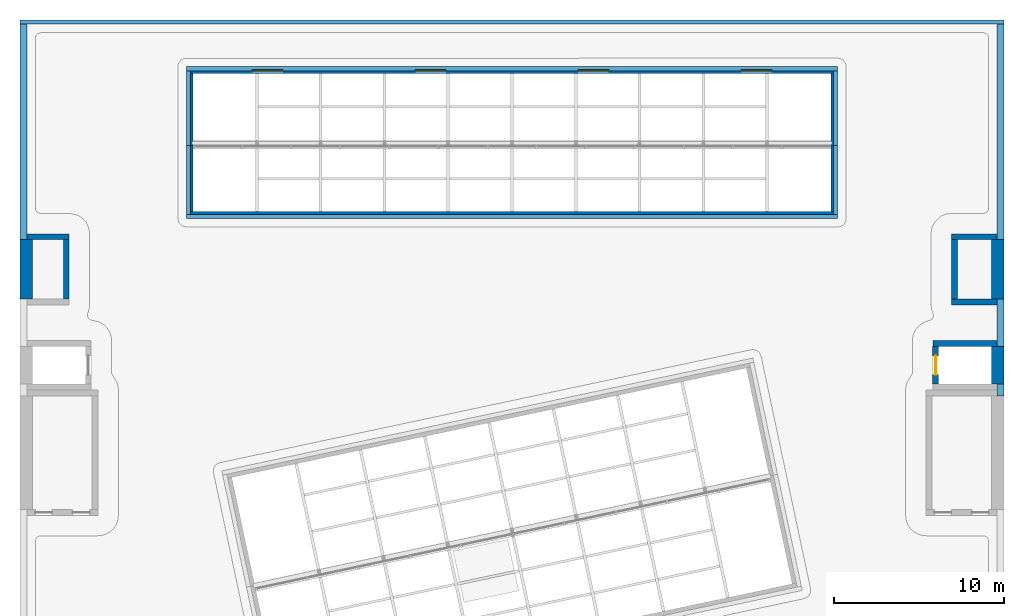
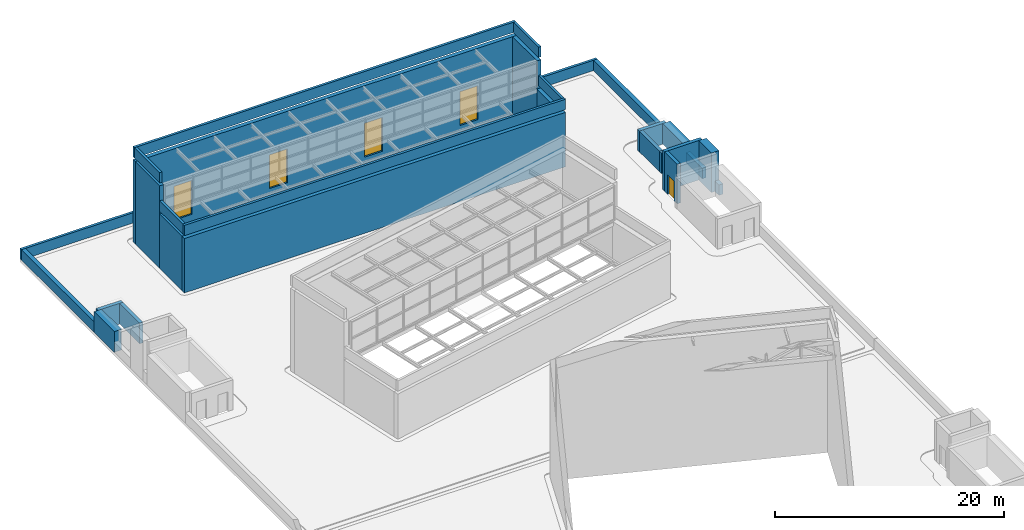
# One storey, part 64 of 72: 27 walls, 4 windows, 1 door, 5 openings.
"""IFC4 building model written with IfcOpenShell, lengths in metres."""

from ifc_helpers import new_model, si_unit, direction, frame, frame_2d, origin, place, context, subcontext, project, spatial, rectangle, extrude, material, layer, layer_set, layer_usage, type_object, element, fill, save


model = new_model("IFC4")

# Units and contexts
model_context = context("Model", 3, precision=1e-05, world=origin(), true_north=direction((0.0, 1.0)))
body_context = subcontext(model_context, "Body", "Model", "MODEL_VIEW")
ifc_project = project(units=[si_unit("LENGTHUNIT", "METRE"), si_unit("AREAUNIT", "SQUARE_METRE"), si_unit("VOLUMEUNIT", "CUBIC_METRE"), si_unit("PLANEANGLEUNIT", "RADIAN"), si_unit("MASSUNIT", "GRAM", prefix="KILO")], contexts=[model_context])

# Site, building, storey
site_placement = place(None, origin())
site = spatial("IfcSite", under=ifc_project, at=site_placement, CompositionType="ELEMENT")
building_placement = place(site_placement, origin())
building = spatial("IfcBuilding", under=site, at=building_placement, Name="Nzadi Deep Aquarium and Research Tower", CompositionType="ELEMENT")
storey_placement = place(building_placement, frame((0.0, 0.0, 31.89990234375)))
storey = spatial("IfcBuildingStorey", under=building, at=storey_placement, Name="L05", CompositionType="ELEMENT", Elevation=31.89990234375)

# Walls
ifc_material_1 = material(Name="Graphite aluminium shingle", Category="aluminium")
ifc_layer_1 = layer(ifc_material_1, 0.050048828125, Category="cladding")
ifc_material_2 = material(Name="Concrete C35/45", Category="concrete")
ifc_layer_2 = layer(ifc_material_2, 0.199951171875, Category="structure")
ifc_layer_set_1 = layer_set([ifc_layer_1, ifc_layer_2], Name="Graphite aluminium shingle, Concrete C35/45")
ifc_layer_usage_1 = layer_usage(ifc_layer_set_1, "AXIS2", "POSITIVE", -0.125)
wall_type_1 = type_object("IfcWallType", Name="Parapet board-formed concrete 250 hall north roof", PredefinedType="PARAPET", material=ifc_layer_set_1)
wall_1_placement = place(storey_placement, frame((48.0, 140.425048828125, 9.10009765625), z_axis=(0.0, 0.0, 1.0), x_axis=(-1.0, 0.0, 0.0)))
element("IfcWall", 1, at=wall_1_placement, inside=storey, type_object=wall_type_1, material=ifc_layer_usage_1, Name="Parapet", PredefinedType="PARAPET", context=body_context, shape_type="SweptSolid", body=[
    extrude(rectangle(XDim=38.39990234375, YDim=0.25, at=frame_2d((19.199951171875, 0.0))), origin(), (0.0, 0.0, 1.0), 1.10009765625),
])
ifc_layer_usage_2 = layer_usage(ifc_layer_set_1, "AXIS2", "POSITIVE", -0.125)
wall_2_placement = place(storey_placement, frame((47.875, 135.89990234375, 9.10009765625), z_axis=(0.0, 0.0, 1.0), x_axis=(0.0, 1.0, 0.0)))
element("IfcWall", 2, at=wall_2_placement, inside=storey, type_object=wall_type_1, material=ifc_layer_usage_2, Name="Parapet", PredefinedType="PARAPET", context=body_context, shape_type="SweptSolid", body=[
    extrude(rectangle(XDim=4.400146484375, YDim=0.25, at=frame_2d((2.2001953125, 0.0))), origin(), (0.0, 0.0, 1.0), 1.10009765625),
])
ifc_layer_usage_3 = layer_usage(ifc_layer_set_1, "AXIS2", "POSITIVE", -0.125)
wall_3_placement = place(storey_placement, frame((9.72509765625, 140.300048828125, 9.10009765625), z_axis=(0.0, 0.0, 1.0), x_axis=(0.0, -1.0, 0.0)))
element("IfcWall", 3, at=wall_3_placement, inside=storey, type_object=wall_type_1, material=ifc_layer_usage_3, Name="Parapet", PredefinedType="PARAPET", context=body_context, shape_type="SweptSolid", body=[
    extrude(rectangle(XDim=4.400146484375, YDim=0.25, at=frame_2d((2.2001953125, 0.0))), origin(), (0.0, 0.0, 1.0), 1.10009765625),
])
ifc_layer_3 = layer(ifc_material_1, 0.050048828125, Category="cladding")
ifc_layer_4 = layer(ifc_material_2, 0.199951171875, Category="structure")
ifc_layer_set_2 = layer_set([ifc_layer_3, ifc_layer_4], Name="Graphite aluminium shingle, Concrete C35/45")
ifc_layer_usage_4 = layer_usage(ifc_layer_set_2, "AXIS2", "POSITIVE", -0.125)
wall_type_2 = type_object("IfcWallType", Name="Parapet board-formed concrete 250 hall south roof", PredefinedType="PARAPET", material=ifc_layer_set_2)
wall_4_placement = place(storey_placement, frame((9.60009765625, 131.72509765625, 6.10009765625), z_axis=(0.0, 0.0, 1.0), x_axis=(1.0, 0.0, 0.0)))
element("IfcWall", 4, at=wall_4_placement, inside=storey, type_object=wall_type_2, material=ifc_layer_usage_4, Name="Parapet", PredefinedType="PARAPET", context=body_context, shape_type="SweptSolid", body=[
    extrude(rectangle(XDim=38.39990234375, YDim=0.25, at=frame_2d((19.199951171875, 0.0))), origin(), (0.0, 0.0, 1.0), 1.10009765625),
])
ifc_layer_usage_5 = layer_usage(ifc_layer_set_2, "AXIS2", "POSITIVE", -0.125)
wall_5_placement = place(storey_placement, frame((47.875, 131.85009765625, 6.10009765625), z_axis=(0.0, 0.0, 1.0), x_axis=(0.0, 1.0, 0.0)))
element("IfcWall", 5, at=wall_5_placement, inside=storey, type_object=wall_type_2, material=ifc_layer_usage_5, Name="Parapet", PredefinedType="PARAPET", context=body_context, shape_type="SweptSolid", body=[
    extrude(rectangle(XDim=4.0498046875, YDim=0.25, at=frame_2d((2.02490234375, 0.0))), origin(), (0.0, 0.0, 1.0), 1.10009765625),
])
ifc_layer_usage_6 = layer_usage(ifc_layer_set_2, "AXIS2", "POSITIVE", -0.125)
wall_6_placement = place(storey_placement, frame((9.72509765625, 135.89990234375, 6.10009765625), z_axis=(0.0, 0.0, 1.0), x_axis=(0.0, -1.0, 0.0)))
element("IfcWall", 6, at=wall_6_placement, inside=storey, type_object=wall_type_2, material=ifc_layer_usage_6, Name="Parapet", PredefinedType="PARAPET", context=body_context, shape_type="SweptSolid", body=[
    extrude(rectangle(XDim=4.0498046875, YDim=0.25, at=frame_2d((2.02490234375, 0.0))), origin(), (0.0, 0.0, 1.0), 1.10009765625),
])
ifc_layer_5 = layer(ifc_material_2, 0.25, Category="structure")
ifc_layer_set_3 = layer_set([ifc_layer_5], Name="Concrete C35/45")
ifc_layer_usage_7 = layer_usage(ifc_layer_set_3, "AXIS2", "POSITIVE", -0.125)
wall_type_3 = type_object("IfcWallType", Name="Parapet board-formed concrete 250 podium roof", PredefinedType="PARAPET", material=ifc_layer_set_3)
wall_7_placement = place(storey_placement, frame((57.799560546875, 143.175048828125, 0.0), z_axis=(0.0, 0.0, 1.0), x_axis=(-1.0, 0.0, 0.0)))
element("IfcWall", 7, at=wall_7_placement, inside=storey, type_object=wall_type_3, material=ifc_layer_usage_7, Name="Parapet", PredefinedType="PARAPET", context=body_context, shape_type="SweptSolid", body=[
    extrude(rectangle(XDim=57.9990234375, YDim=0.25, at=frame_2d((28.99951171875, 0.0))), origin(), (0.0, 0.0, 1.0), 1.10009765625),
])
ifc_layer_6 = layer(ifc_material_2, 0.39990234375, Category="structure")
ifc_layer_set_4 = layer_set([ifc_layer_6], Name="Concrete C35/45")
ifc_layer_usage_8 = layer_usage(ifc_layer_set_4, "AXIS2", "POSITIVE", -0.199951171875)
wall_type_4 = type_object("IfcWallType", Name="Parapet board-formed concrete 400 podium roof", PredefinedType="PARAPET", material=ifc_layer_set_4)
wall_8_placement = place(storey_placement, frame((57.599609375, 121.14990234375, 0.0), z_axis=(0.0, 0.0, 1.0), x_axis=(0.0, 1.0, 0.0)))
element("IfcWall", 8, at=wall_8_placement, inside=storey, type_object=wall_type_4, material=ifc_layer_usage_8, Name="Parapet", PredefinedType="PARAPET", context=body_context, shape_type="SweptSolid", body=[
    extrude(rectangle(XDim=0.7001953125, YDim=0.39990234375, at=frame_2d((0.35009765625, 0.0))), origin(), (0.0, 0.0, 1.0), 1.10009765625),
])
ifc_layer_usage_9 = layer_usage(ifc_layer_set_4, "AXIS2", "POSITIVE", -0.199951171875)
wall_9_placement = place(storey_placement, frame((57.599609375, 124.050048828125, 0.0), z_axis=(0.0, 0.0, 1.0), x_axis=(0.0, 1.0, 0.0)))
element("IfcWall", 9, at=wall_9_placement, inside=storey, type_object=wall_type_4, material=ifc_layer_usage_9, Name="Parapet", PredefinedType="PARAPET", context=body_context, shape_type="SweptSolid", body=[
    extrude(rectangle(XDim=2.800048828125, YDim=0.39990234375, at=frame_2d((1.39990234375, 0.0))), origin(), (0.0, 0.0, 1.0), 1.10009765625),
])
ifc_layer_usage_10 = layer_usage(ifc_layer_set_4, "AXIS2", "POSITIVE", -0.199951171875)
wall_10_placement = place(storey_placement, frame((57.599609375, 130.35009765625, 0.0), z_axis=(0.0, 0.0, 1.0), x_axis=(0.0, 1.0, 0.0)))
element("IfcWall", 10, at=wall_10_placement, inside=storey, type_object=wall_type_4, material=ifc_layer_usage_10, Name="Parapet", PredefinedType="PARAPET", context=body_context, shape_type="SweptSolid", body=[
    extrude(rectangle(XDim=12.699951171875, YDim=0.39990234375, at=frame_2d((6.35009765625, 0.0))), origin(), (0.0, 0.0, 1.0), 1.10009765625),
])
ifc_layer_usage_11 = layer_usage(ifc_layer_set_4, "AXIS2", "POSITIVE", -0.199951171875)
wall_11_placement = place(storey_placement, frame((0.00048828125, 143.050048828125, 0.0), z_axis=(0.0, 0.0, 1.0), x_axis=(0.0, -1.0, 0.0)))
element("IfcWall", 11, at=wall_11_placement, inside=storey, type_object=wall_type_4, material=ifc_layer_usage_11, Name="Parapet", PredefinedType="PARAPET", context=body_context, shape_type="SweptSolid", body=[
    extrude(rectangle(XDim=12.699951171875, YDim=0.39990234375, at=frame_2d((6.35009765625, 0.0))), origin(), (0.0, 0.0, 1.0), 1.10009765625),
])
ifc_material_3 = material(Name="Concrete C35/45", Category="concrete")
ifc_layer_7 = layer(ifc_material_3, 0.35009765625)
ifc_layer_set_5 = layer_set([ifc_layer_7], Name="Concrete C35/45")
wall_type_5 = type_object("IfcWallType", Name="RC core wall 350", PredefinedType="SHEAR", material=ifc_layer_set_5)
wall_12_placement = place(storey_placement, frame((53.60009765625, 124.22509765625, 0.0), z_axis=(0.0, 0.0, 1.0), x_axis=(1.0, 0.0, 0.0)))
element("IfcWall", 12, at=wall_12_placement, inside=storey, type_object=wall_type_5, Name="W-CORE-PL6-L05-N", PredefinedType="SHEAR", context=body_context, shape_type="SweptSolid", body=[
    extrude(rectangle(XDim=3.7998046875, YDim=0.35009765625, at=frame_2d((1.89990234375, 0.0))), origin(), (0.0, 0.0, 1.0), 4.2001953125),
])

# Wall, opening, door
wall_13_placement = place(storey_placement, frame((53.77490234375, 121.85009765625, 0.0), z_axis=(0.0, 0.0, 1.0), x_axis=(0.0, 1.0, 0.0)))
wall_13 = element("IfcWall", 13, at=wall_13_placement, inside=storey, type_object=wall_type_5, Name="W-CORE-PL6-L05-W", PredefinedType="SHEAR", context=body_context, shape_type="SweptSolid", body=[
    extrude(rectangle(XDim=2.199951171875, YDim=0.35009765625, at=frame_2d((1.10009765625, 0.0))), origin(), (0.0, 0.0, 1.0), 4.2001953125),
])
opening_1_placement = place(wall_13_placement, frame((0.550048828125, 0.0, 0.0)))
opening_1 = element("IfcOpeningElement", 14, at=opening_1_placement, cuts=wall_13, Name="Opening LD-PL6-L05", PredefinedType="OPENING", context=body_context, shape_type="SweptSolid", body=[
    extrude(rectangle(XDim=1.10009765625, YDim=2.10009765625, at=frame_2d((0.550048828125, 1.050048828125))), frame((0.0, 0.18505859375, 0.0), z_axis=(0.0, -1.0, 0.0), x_axis=(1.0, 0.0, 0.0)), (0.0, 0.0, 1.0), 0.3701171875),
])
ifc_material_4 = material(Name="Stainless steel 1.4301", Category="steel")
door_type = type_object("IfcDoorType", Name="LANDING DOOR 1100x2100", OperationType="DOUBLE_DOOR_SLIDING", PredefinedType="DOOR", material=ifc_material_4)
door_placement = place(opening_1_placement, origin())
door = element("IfcDoor", 15, at=door_placement, inside=storey, type_object=door_type, Name="Landing door PL6 L05", OperationType="DOUBLE_DOOR_SLIDING", OverallHeight=2.10009765625, OverallWidth=1.10009765625, PredefinedType="DOOR", context=body_context, shape_type="SweptSolid", body=[
    extrude(rectangle(XDim=1.10009765625, YDim=2.10009765625, at=frame_2d((0.550048828125, 1.050048828125))), frame((0.0, 0.02490234375, 0.0), z_axis=(0.0, -1.0, 0.0), x_axis=(1.0, 0.0, 0.0)), (0.0, 0.0, 1.0), 0.050048828125),
])
fill(opening_1, door)

# Walls
ifc_material_5 = material(Name="Concrete C35/45", Category="concrete")
ifc_layer_8 = layer(ifc_material_5, 0.35009765625)
ifc_layer_set_6 = layer_set([ifc_layer_8], Name="Concrete C35/45")
wall_type_6 = type_object("IfcWallType", Name="RC core wall 350, 2.20 m high", PredefinedType="SHEAR", material=ifc_layer_set_6)
wall_14_placement = place(storey_placement, frame((0.199951171875, 130.52490234375, 0.0), z_axis=(0.0, 0.0, 1.0), x_axis=(1.0, 0.0, 0.0)))
element("IfcWall", 16, at=wall_14_placement, inside=storey, type_object=wall_type_6, Name="W-CORE-RS-Z3-W-L05-N", PredefinedType="SHEAR", context=body_context, shape_type="SweptSolid", body=[
    extrude(rectangle(XDim=2.5, YDim=0.35009765625, at=frame_2d((1.25, 0.0))), origin(), (0.0, 0.0, 1.0), 2.2001953125),
])
wall_15_placement = place(storey_placement, frame((2.52490234375, 126.85009765625, 0.0), z_axis=(0.0, 0.0, 1.0), x_axis=(0.0, 1.0, 0.0)))
element("IfcWall", 17, at=wall_15_placement, inside=storey, type_object=wall_type_6, Name="W-CORE-RS-Z3-W-L05-E", PredefinedType="SHEAR", context=body_context, shape_type="SweptSolid", body=[
    extrude(rectangle(XDim=3.5, YDim=0.35009765625, at=frame_2d((1.75, 0.0))), origin(), (0.0, 0.0, 1.0), 2.2001953125),
])
for number, where, z_axis, x_axis, name in (
    (18, (54.699951171875, 126.675048828125, 0.0), (0.0, 0.0, 1.0), (1.0, 0.0, 0.0), "W-CORE-RS-Z3-E-L05-S"),
    (19, (54.699951171875, 130.52490234375, 0.0), (0.0, 0.0, 1.0), (1.0, 0.0, 0.0), "W-CORE-RS-Z3-E-L05-N"),
):
    element("IfcWall", number, at=place(storey_placement, frame(where, z_axis=z_axis, x_axis=x_axis)), inside=storey, type_object=wall_type_6, Name=name, PredefinedType="SHEAR", context=body_context, shape_type="SweptSolid", body=[
        extrude(rectangle(XDim=2.699951171875, YDim=0.35009765625, at=frame_2d((1.35009765625, 0.0))), origin(), (0.0, 0.0, 1.0), 2.2001953125),
    ])
wall_16_placement = place(storey_placement, frame((54.875, 126.85009765625, 0.0), z_axis=(0.0, 0.0, 1.0), x_axis=(0.0, 1.0, 0.0)))
element("IfcWall", 20, at=wall_16_placement, inside=storey, type_object=wall_type_6, Name="W-CORE-RS-Z3-E-L05-W", PredefinedType="SHEAR", context=body_context, shape_type="SweptSolid", body=[
    extrude(rectangle(XDim=3.5, YDim=0.35009765625, at=frame_2d((1.75, 0.0))), origin(), (0.0, 0.0, 1.0), 2.2001953125),
])
ifc_material_6 = material(Name="Concrete C35/45", Category="concrete")
ifc_layer_9 = layer(ifc_material_6, 0.75)
ifc_layer_set_7 = layer_set([ifc_layer_9], Name="Concrete C35/45")
wall_type_7 = type_object("IfcWallType", Name="RC core wall 750", PredefinedType="SHEAR", material=ifc_layer_set_7)
wall_17_placement = place(storey_placement, frame((57.424560546875, 121.85009765625, 0.0), z_axis=(0.0, 0.0, 1.0), x_axis=(0.0, 1.0, 0.0)))
element("IfcWall", 21, at=wall_17_placement, inside=storey, type_object=wall_type_7, Name="W-CORE-PL6-L05-E", PredefinedType="SHEAR", context=body_context, shape_type="SweptSolid", body=[
    extrude(rectangle(XDim=2.199951171875, YDim=0.75, at=frame_2d((1.10009765625, 0.0))), origin(), (0.0, 0.0, 1.0), 4.2001953125),
])
ifc_material_7 = material(Name="Concrete C35/45", Category="concrete")
ifc_layer_10 = layer(ifc_material_7, 0.75)
ifc_layer_set_8 = layer_set([ifc_layer_10], Name="Concrete C35/45")
wall_type_8 = type_object("IfcWallType", Name="RC core wall 750, 2.20 m high", PredefinedType="SHEAR", material=ifc_layer_set_8)
for number, where, z_axis, x_axis, name in (
    (22, (0.175537109375, 126.85009765625, 0.0), (0.0, 0.0, 1.0), (0.0, 1.0, 0.0), "W-CORE-RS-Z3-W-L05-W"),
    (23, (57.424560546875, 126.85009765625, 0.0), (0.0, 0.0, 1.0), (0.0, 1.0, 0.0), "W-CORE-RS-Z3-E-L05-E"),
):
    element("IfcWall", number, at=place(storey_placement, frame(where, z_axis=z_axis, x_axis=x_axis)), inside=storey, type_object=wall_type_8, Name=name, PredefinedType="SHEAR", context=body_context, shape_type="SweptSolid", body=[
        extrude(rectangle(XDim=3.5, YDim=0.75, at=frame_2d((1.75, 0.0))), origin(), (0.0, 0.0, 1.0), 2.2001953125),
    ])
ifc_layer_11 = layer(ifc_material_1, 0.050048828125, Category="cladding")
ifc_layer_12 = layer(ifc_material_2, 0.35009765625, Category="structure")
ifc_layer_set_9 = layer_set([ifc_layer_11, ifc_layer_12], Name="Graphite aluminium shingle, Concrete C35/45")
ifc_layer_usage_12 = layer_usage(ifc_layer_set_9, "AXIS2", "POSITIVE", -0.199951171875)
wall_type_9 = type_object("IfcWallType", Name="Shard wall graphite shingle over reinforced concrete 400, 5.80 m high", PredefinedType="SHEAR", material=ifc_layer_set_9)
wall_18_placement = place(storey_placement, frame((9.60009765625, 131.800048828125, 0.0), z_axis=(0.0, 0.0, 1.0), x_axis=(1.0, 0.0, 0.0)))
element("IfcWall", 24, at=wall_18_placement, inside=storey, type_object=wall_type_9, material=ifc_layer_usage_12, Name="W-HL-S", PredefinedType="SHEAR", context=body_context, shape_type="SweptSolid", body=[
    extrude(rectangle(XDim=38.39990234375, YDim=0.39990234375, at=frame_2d((19.199951171875, 0.0))), origin(), (0.0, 0.0, 1.0), 5.800048828125),
])
ifc_layer_usage_13 = layer_usage(ifc_layer_set_9, "AXIS2", "POSITIVE", -0.199951171875)
wall_19_placement = place(storey_placement, frame((9.800048828125, 132.0, 0.0), z_axis=(0.0, 0.0, 1.0), x_axis=(0.0, 1.0, 0.0)))
element("IfcWall", 25, at=wall_19_placement, inside=storey, type_object=wall_type_9, material=ifc_layer_usage_13, Name="W-HL-W1", PredefinedType="SHEAR", context=body_context, shape_type="SweptSolid", body=[
    extrude(rectangle(XDim=3.89990234375, YDim=0.39990234375, at=frame_2d((1.949951171875, 0.0))), origin(), (0.0, 0.0, 1.0), 5.800048828125),
])
ifc_layer_usage_14 = layer_usage(ifc_layer_set_9, "AXIS2", "POSITIVE", -0.199951171875)
wall_20_placement = place(storey_placement, frame((47.800048828125, 132.0, 0.0), z_axis=(0.0, 0.0, 1.0), x_axis=(0.0, 1.0, 0.0)))
element("IfcWall", 26, at=wall_20_placement, inside=storey, type_object=wall_type_9, material=ifc_layer_usage_14, Name="W-HL-E1", PredefinedType="SHEAR", context=body_context, shape_type="SweptSolid", body=[
    extrude(rectangle(XDim=3.89990234375, YDim=0.39990234375, at=frame_2d((1.949951171875, 0.0))), origin(), (0.0, 0.0, 1.0), 5.800048828125),
])

# Wall, openings, windows
ifc_material_8 = material(Name="Pewter aluminium shingle", Category="aluminium")
ifc_layer_13 = layer(ifc_material_8, 0.050048828125, Category="cladding")
ifc_layer_14 = layer(ifc_material_2, 0.35009765625, Category="structure")
ifc_layer_set_10 = layer_set([ifc_layer_13, ifc_layer_14], Name="Pewter aluminium shingle, Concrete C35/45")
ifc_layer_usage_15 = layer_usage(ifc_layer_set_10, "AXIS2", "POSITIVE", -0.199951171875)
wall_type_10 = type_object("IfcWallType", Name="Shard wall pewter shingle over reinforced concrete 400, 8.80 m high", PredefinedType="SHEAR", material=ifc_layer_set_10)
wall_21_placement = place(storey_placement, frame((9.60009765625, 140.35009765625, 0.0), z_axis=(0.0, 0.0, 1.0), x_axis=(1.0, 0.0, 0.0)))
wall_21 = element("IfcWall", 27, at=wall_21_placement, inside=storey, type_object=wall_type_10, material=ifc_layer_usage_15, Name="W-HL-N", PredefinedType="SHEAR", context=body_context, shape_type="SweptSolid", body=[
    extrude(rectangle(XDim=38.39990234375, YDim=0.39990234375, at=frame_2d((19.199951171875, 0.0))), origin(), (0.0, 0.0, 1.0), 8.800048828125),
])
opening_2_placement = place(wall_21_placement, frame((3.89990234375, 0.0, 1.199951171875)))
opening_2 = element("IfcOpeningElement", 28, at=opening_2_placement, cuts=wall_21, Name="Opening WN10", PredefinedType="OPENING", context=body_context, shape_type="SweptSolid", body=[
    extrude(rectangle(XDim=1.800048828125, YDim=3.60009765625, at=frame_2d((0.89990234375, 1.800048828125))), frame((0.0, 0.2099609375, 0.0), z_axis=(0.0, -1.0, 0.0), x_axis=(1.0, 0.0, 0.0)), (0.0, 0.0, 1.0), 0.419921875),
])
opening_3_placement = place(wall_21_placement, frame((13.5, 0.0, 1.199951171875)))
opening_3 = element("IfcOpeningElement", 29, at=opening_3_placement, cuts=wall_21, Name="Opening WN10", PredefinedType="OPENING", context=body_context, shape_type="SweptSolid", body=[
    extrude(rectangle(XDim=1.800048828125, YDim=3.60009765625, at=frame_2d((0.89990234375, 1.800048828125))), frame((0.0, 0.2099609375, 0.0), z_axis=(0.0, -1.0, 0.0), x_axis=(1.0, 0.0, 0.0)), (0.0, 0.0, 1.0), 0.419921875),
])
opening_4_placement = place(wall_21_placement, frame((23.10009765625, 0.0, 1.199951171875)))
opening_4 = element("IfcOpeningElement", 30, at=opening_4_placement, cuts=wall_21, Name="Opening WN10", PredefinedType="OPENING", context=body_context, shape_type="SweptSolid", body=[
    extrude(rectangle(XDim=1.800048828125, YDim=3.60009765625, at=frame_2d((0.89990234375, 1.800048828125))), frame((0.0, 0.2099609375, 0.0), z_axis=(0.0, -1.0, 0.0), x_axis=(1.0, 0.0, 0.0)), (0.0, 0.0, 1.0), 0.419921875),
])
opening_5_placement = place(wall_21_placement, frame((32.699951171875, 0.0, 1.199951171875)))
opening_5 = element("IfcOpeningElement", 31, at=opening_5_placement, cuts=wall_21, Name="Opening WN10", PredefinedType="OPENING", context=body_context, shape_type="SweptSolid", body=[
    extrude(rectangle(XDim=1.800048828125, YDim=3.60009765625, at=frame_2d((0.89990234375, 1.800048828125))), frame((0.0, 0.2099609375, 0.0), z_axis=(0.0, -1.0, 0.0), x_axis=(1.0, 0.0, 0.0)), (0.0, 0.0, 1.0), 0.419921875),
])
ifc_material_9 = material(Name="Aluminium framed glazing", Category="aluminium")
window_type = type_object("IfcWindowType", Name="Lantern window 1800x3600 sill 1200", PartitioningType="SINGLE_PANEL", PredefinedType="WINDOW", material=ifc_material_9)
window_1_placement = place(opening_2_placement, origin())
window_1 = element("IfcWindow", 32, at=window_1_placement, inside=storey, type_object=window_type, Name="Events hall lantern window", OverallHeight=3.60009765625, OverallWidth=1.800048828125, PartitioningType="SINGLE_PANEL", PredefinedType="WINDOW", context=body_context, shape_type="SweptSolid", body=[
    extrude(rectangle(XDim=1.800048828125, YDim=3.60009765625, at=frame_2d((0.89990234375, 1.800048828125))), frame((0.0, 0.030029296875, 0.0), z_axis=(0.0, -1.0, 0.0), x_axis=(1.0, 0.0, 0.0)), (0.0, 0.0, 1.0), 0.06005859375),
])
fill(opening_2, window_1)
window_2_placement = place(opening_3_placement, origin())
window_2 = element("IfcWindow", 33, at=window_2_placement, inside=storey, type_object=window_type, Name="Events hall lantern window", OverallHeight=3.60009765625, OverallWidth=1.800048828125, PartitioningType="SINGLE_PANEL", PredefinedType="WINDOW", context=body_context, shape_type="SweptSolid", body=[
    extrude(rectangle(XDim=1.800048828125, YDim=3.60009765625, at=frame_2d((0.89990234375, 1.800048828125))), frame((0.0, 0.030029296875, 0.0), z_axis=(0.0, -1.0, 0.0), x_axis=(1.0, 0.0, 0.0)), (0.0, 0.0, 1.0), 0.06005859375),
])
fill(opening_3, window_2)
window_3_placement = place(opening_4_placement, origin())
window_3 = element("IfcWindow", 34, at=window_3_placement, inside=storey, type_object=window_type, Name="Events hall lantern window", OverallHeight=3.60009765625, OverallWidth=1.800048828125, PartitioningType="SINGLE_PANEL", PredefinedType="WINDOW", context=body_context, shape_type="SweptSolid", body=[
    extrude(rectangle(XDim=1.800048828125, YDim=3.60009765625, at=frame_2d((0.89990234375, 1.800048828125))), frame((0.0, 0.030029296875, 0.0), z_axis=(0.0, -1.0, 0.0), x_axis=(1.0, 0.0, 0.0)), (0.0, 0.0, 1.0), 0.06005859375),
])
fill(opening_4, window_3)
window_4_placement = place(opening_5_placement, origin())
window_4 = element("IfcWindow", 35, at=window_4_placement, inside=storey, type_object=window_type, Name="Events hall lantern window", OverallHeight=3.60009765625, OverallWidth=1.800048828125, PartitioningType="SINGLE_PANEL", PredefinedType="WINDOW", context=body_context, shape_type="SweptSolid", body=[
    extrude(rectangle(XDim=1.800048828125, YDim=3.60009765625, at=frame_2d((0.89990234375, 1.800048828125))), frame((0.0, 0.030029296875, 0.0), z_axis=(0.0, -1.0, 0.0), x_axis=(1.0, 0.0, 0.0)), (0.0, 0.0, 1.0), 0.06005859375),
])
fill(opening_5, window_4)

# Walls
ifc_layer_usage_16 = layer_usage(ifc_layer_set_10, "AXIS2", "POSITIVE", -0.199951171875)
wall_22_placement = place(storey_placement, frame((9.800048828125, 135.89990234375, 0.0), z_axis=(0.0, 0.0, 1.0), x_axis=(0.0, 1.0, 0.0)))
element("IfcWall", 36, at=wall_22_placement, inside=storey, type_object=wall_type_10, material=ifc_layer_usage_16, Name="W-HL-W2", PredefinedType="SHEAR", context=body_context, shape_type="SweptSolid", body=[
    extrude(rectangle(XDim=4.25, YDim=0.39990234375, at=frame_2d((2.125, 0.0))), origin(), (0.0, 0.0, 1.0), 8.800048828125),
])
ifc_layer_usage_17 = layer_usage(ifc_layer_set_10, "AXIS2", "POSITIVE", -0.199951171875)
wall_23_placement = place(storey_placement, frame((47.800048828125, 135.89990234375, 0.0), z_axis=(0.0, 0.0, 1.0), x_axis=(0.0, 1.0, 0.0)))
element("IfcWall", 37, at=wall_23_placement, inside=storey, type_object=wall_type_10, material=ifc_layer_usage_17, Name="W-HL-E2", PredefinedType="SHEAR", context=body_context, shape_type="SweptSolid", body=[
    extrude(rectangle(XDim=4.25, YDim=0.39990234375, at=frame_2d((2.125, 0.0))), origin(), (0.0, 0.0, 1.0), 8.800048828125),
])

save(model, "model.ifc")
